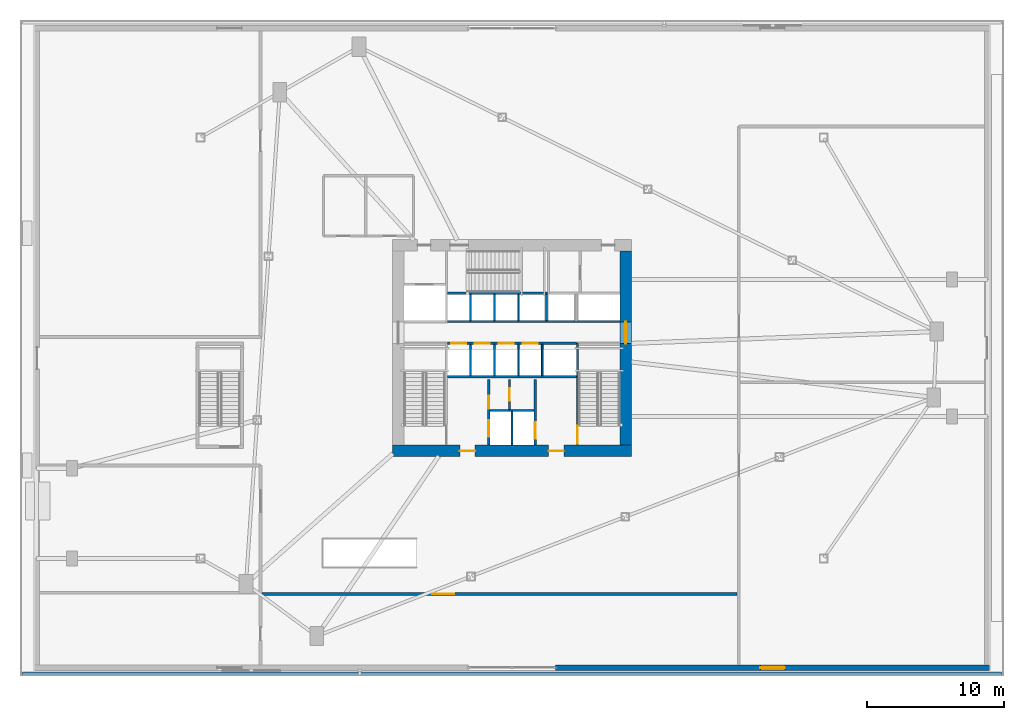
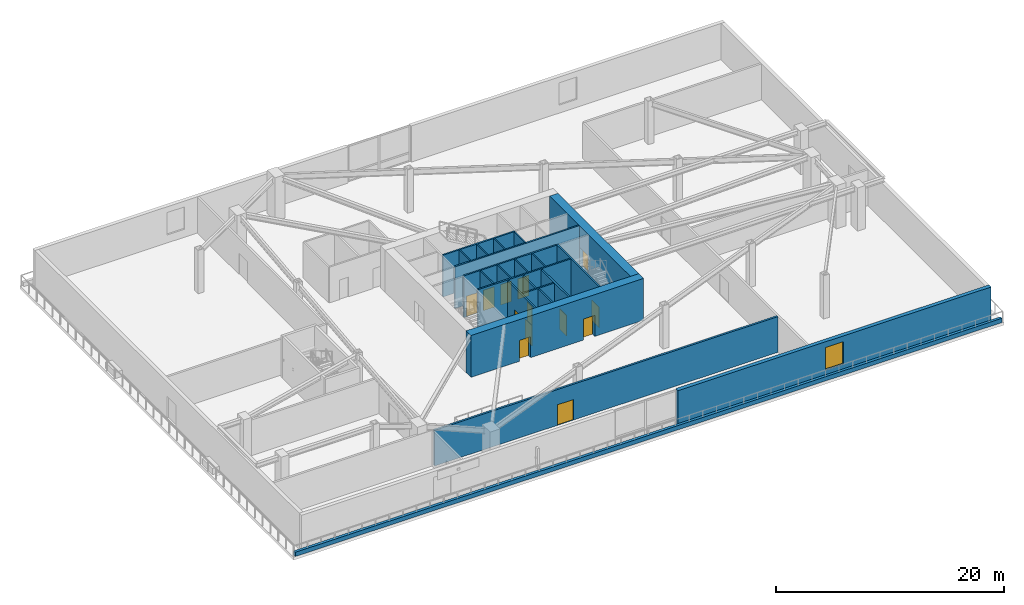
# One storey, part 7 of 14: 23 walls, 13 doors, 1 window, 14 openings.
"""IFC4 building model written with IfcOpenShell, lengths in metres."""

from ifc_helpers import new_model, si_unit, direction, frame, frame_2d, origin, place, context, subcontext, project, spatial, rectangle, extrude, source, transform, mapped, material, layer, layer_set, type_object, type_shapes, element, fill, save


model = new_model("IFC4")

# Units and contexts
model_context = context("Model", 3, precision=1e-05, world=origin(), true_north=direction((0.0, 1.0)))
body_context = subcontext(model_context, "Body", "Model", "MODEL_VIEW")
ifc_project = project(units=[si_unit("LENGTHUNIT", "METRE"), si_unit("AREAUNIT", "SQUARE_METRE"), si_unit("VOLUMEUNIT", "CUBIC_METRE"), si_unit("PLANEANGLEUNIT", "RADIAN"), si_unit("MASSUNIT", "GRAM", prefix="KILO")], contexts=[model_context])

# Site, building, storey
site_placement = place(None, origin())
site = spatial("IfcSite", under=ifc_project, at=site_placement, CompositionType="ELEMENT")
building_placement = place(site_placement, origin())
building = spatial("IfcBuilding", under=site, at=building_placement, Name="Olszyna Solenne Hotel", CompositionType="ELEMENT")
storey_placement = place(building_placement, frame((0.0, 0.0, 5.39990234375)))
storey = spatial("IfcBuildingStorey", under=building, at=storey_placement, Name="L01", CompositionType="ELEMENT", Elevation=5.39990234375)

# Wall, openings, doors
ifc_material_1 = material(Name="Concrete C60/75", Category="concrete")
ifc_layer_1 = layer(ifc_material_1, 0.85009765625, Name="Concrete C60/75")
ifc_layer_set_1 = layer_set([ifc_layer_1], Name="Concrete C60/75")
wall_type_1 = type_object("IfcWallType", Name="WL-CR850", PredefinedType="SHEAR", material=ifc_layer_set_1)
wall_1_placement = place(storey_placement, frame((46.75, 19.074951171875, 0.0), z_axis=(0.0, 0.0, 1.0), x_axis=(-1.0, 0.0, 0.0)))
wall_1 = element("IfcWall", 1, at=wall_1_placement, inside=storey, type_object=wall_type_1, Name="Core shear wall WL-CR850 CRW-L01-S", PredefinedType="SHEAR", context=body_context, shape_type="SweptSolid", body=[
    extrude(rectangle(XDim=17.5, YDim=0.85009765625, at=frame_2d((8.75, 0.0))), origin(), (0.0, 0.0, 1.0), 4.47998046875),
])
opening_1_placement = place(wall_1_placement, frame((4.949951171875, 0.0, 0.0)))
opening_1 = element("IfcOpeningElement", 2, at=opening_1_placement, cuts=wall_1, Name="Opening FL-L01-1", PredefinedType="OPENING", context=body_context, shape_type="SweptSolid", body=[
    extrude(rectangle(XDim=1.1201171875, YDim=2.25, at=frame_2d((0.56005859375, 1.125))), frame((0.0, 0.43505859375, 0.0), z_axis=(0.0, -1.0, 0.0), x_axis=(1.0, 0.0, 0.0)), (0.0, 0.0, 1.0), 0.8701171875),
])
opening_2_placement = place(wall_1_placement, frame((11.449951171875, 0.0, 0.0)))
opening_2 = element("IfcOpeningElement", 3, at=opening_2_placement, cuts=wall_1, Name="Opening FL-L01-2", PredefinedType="OPENING", context=body_context, shape_type="SweptSolid", body=[
    extrude(rectangle(XDim=1.1201171875, YDim=2.25, at=frame_2d((0.56005859375, 1.125))), frame((0.0, 0.43505859375, 0.0), z_axis=(0.0, -1.0, 0.0), x_axis=(1.0, 0.0, 0.0)), (0.0, 0.0, 1.0), 0.8701171875),
])
ifc_material_2 = material(Name="Steel S355J2", Category="steel")
door_type_1 = type_object("IfcDoorType", Name="DR-FL1", OperationType="NOTDEFINED", PredefinedType="DOOR", material=ifc_material_2)
shared_shape_1 = source(origin(), body_context, "Body", "SweptSolid", [
    extrude(rectangle(XDim=1.1201171875, YDim=2.25, at=frame_2d((0.56005859375, 1.125))), frame((0.0, 0.02490234375, 0.0), z_axis=(0.0, -1.0, 0.0), x_axis=(1.0, 0.0, 0.0)), (0.0, 0.0, 1.0), 0.050048828125),
])
type_shapes(door_type_1, [shared_shape_1])
door_1_placement = place(opening_1_placement, origin())
door_1 = element("IfcDoor", 4, at=door_1_placement, inside=storey, type_object=door_type_1, Name="Firefighting lift lobby smoke door FL-L01-1", OperationType="SINGLE_SWING_LEFT", OverallHeight=2.25, OverallWidth=1.1201171875, PredefinedType="DOOR", context=body_context, shape_type="MappedRepresentation", body=[
    mapped(shared_shape_1, transform((0.0, 0.0, 0.0), x_axis=(1.0, 0.0, 0.0), y_axis=(0.0, 1.0, 0.0), z_axis=(0.0, 0.0, 1.0), scale=1.0)),
])
fill(opening_1, door_1)
door_2_placement = place(opening_2_placement, origin())
door_2 = element("IfcDoor", 5, at=door_2_placement, inside=storey, type_object=door_type_1, Name="Firefighting lift lobby smoke door FL-L01-2", OperationType="SINGLE_SWING_RIGHT", OverallHeight=2.25, OverallWidth=1.1201171875, PredefinedType="DOOR", context=body_context, shape_type="MappedRepresentation", body=[
    mapped(shared_shape_1, transform((0.0, 0.0, 0.0), x_axis=(1.0, 0.0, 0.0), y_axis=(0.0, 1.0, 0.0), z_axis=(0.0, 0.0, 1.0), scale=1.0)),
])
fill(opening_2, door_2)

# Wall, opening, door
wall_2_placement = place(storey_placement, frame((46.324951171875, 33.699951171875, 0.0), z_axis=(0.0, 0.0, 1.0), x_axis=(0.0, -1.0, 0.0)))
wall_2 = element("IfcWall", 6, at=wall_2_placement, inside=storey, type_object=wall_type_1, Name="Core shear wall WL-CR850 CRW-L01-E", PredefinedType="SHEAR", context=body_context, shape_type="SweptSolid", body=[
    extrude(rectangle(XDim=14.199951171875, YDim=0.85009765625, at=frame_2d((7.10009765625, 0.0))), origin(), (0.0, 0.0, 1.0), 4.47998046875),
])
opening_3_placement = place(wall_2_placement, frame((5.179931640625, 0.0, 0.0)))
opening_3 = element("IfcOpeningElement", 7, at=opening_3_placement, cuts=wall_2, Name="Opening LHD-L01-E", PredefinedType="OPENING", context=body_context, shape_type="SweptSolid", body=[
    extrude(rectangle(XDim=1.60009765625, YDim=2.199951171875, at=frame_2d((0.800048828125, 1.10009765625))), frame((0.0, 0.43505859375, 0.0), z_axis=(0.0, -1.0, 0.0), x_axis=(1.0, 0.0, 0.0)), (0.0, 0.0, 1.0), 0.8701171875),
])
ifc_material_3 = material(Name="Timber hardwood", Category="wood")
door_type_2 = type_object("IfcDoorType", Name="DR-CR1", OperationType="DOUBLE_DOOR_SINGLE_SWING", PredefinedType="DOOR", material=ifc_material_3)
shared_shape_2 = source(origin(), body_context, "Body", "SweptSolid", [
    extrude(rectangle(XDim=1.60009765625, YDim=2.199951171875, at=frame_2d((0.800048828125, 1.10009765625))), frame((0.0, 0.02490234375, 0.0), z_axis=(0.0, -1.0, 0.0), x_axis=(1.0, 0.0, 0.0)), (0.0, 0.0, 1.0), 0.050048828125),
])
type_shapes(door_type_2, [shared_shape_2])
door_3_placement = place(opening_3_placement, origin())
door_3 = element("IfcDoor", 8, at=door_3_placement, inside=storey, type_object=door_type_2, Name="Passenger lift lobby East fire door LHD-L01-E", OperationType="DOUBLE_DOOR_SINGLE_SWING", OverallHeight=2.199951171875, OverallWidth=1.60009765625, PredefinedType="DOOR", context=body_context, shape_type="MappedRepresentation", body=[
    mapped(shared_shape_2, transform((0.0, 0.0, 0.0), x_axis=(1.0, 0.0, 0.0), y_axis=(0.0, 1.0, 0.0), z_axis=(0.0, 0.0, 1.0), scale=1.0)),
])
fill(opening_3, door_3)

# Wall, opening, window
ifc_material_4 = material(Name="Terracotta cladding on precast concrete C45/55", Category="masonry")
ifc_layer_2 = layer(ifc_material_4, 0.3798828125, Name="Terracotta cladding on precast concrete C45/55")
ifc_layer_set_2 = layer_set([ifc_layer_2], Name="Terracotta cladding on precast concrete C45/55")
wall_type_2 = type_object("IfcWallType", Name="WL-EX380", PredefinedType="SOLIDWALL", material=ifc_layer_set_2)
wall_3_placement = place(storey_placement, frame((72.949951171875, 3.2099609375, 0.0), z_axis=(0.0, 0.0, 1.0), x_axis=(-1.0, 0.0, 0.0)))
wall_3 = element("IfcWall", 9, at=wall_3_placement, inside=storey, type_object=wall_type_2, Name="Podium terracotta-precast exterior wall EW-L01-SE", PredefinedType="SOLIDWALL", context=body_context, shape_type="SweptSolid", body=[
    extrude(rectangle(XDim=31.75, YDim=0.3798828125, at=frame_2d((15.875, 0.0))), origin(), (0.0, 0.0, 1.0), 3.8720703125),
])
opening_4_placement = place(wall_3_placement, frame((14.97509765625, 0.0, 0.85009765625)))
opening_4 = element("IfcOpeningElement", 10, at=opening_4_placement, cuts=wall_3, Name="Opening WN-L01-005", PredefinedType="OPENING", context=body_context, shape_type="SweptSolid", body=[
    extrude(rectangle(XDim=1.800048828125, YDim=2.39990234375, at=frame_2d((0.89990234375, 1.199951171875))), frame((0.0, 0.199951171875, 0.0), z_axis=(0.0, -1.0, 0.0), x_axis=(1.0, 0.0, 0.0)), (0.0, 0.0, 1.0), 0.39990234375),
])
ifc_material_5 = material(Name="Low-E triple glazing", Category="glass")
window_type = type_object("IfcWindowType", Name="WN-PD2", PartitioningType="SINGLE_PANEL", PredefinedType="WINDOW", material=ifc_material_5)
shared_shape_3 = source(origin(), body_context, "Body", "SweptSolid", [
    extrude(rectangle(XDim=1.800048828125, YDim=2.39990234375, at=frame_2d((0.89990234375, 1.199951171875))), frame((0.0, 0.030029296875, 0.0), z_axis=(0.0, -1.0, 0.0), x_axis=(1.0, 0.0, 0.0)), (0.0, 0.0, 1.0), 0.06005859375),
])
type_shapes(window_type, [shared_shape_3])
window_placement = place(opening_4_placement, origin())
window = element("IfcWindow", 11, at=window_placement, inside=storey, type_object=window_type, Name="Podium triple-glazed window WN-PD2 WN-L01-005", OverallHeight=2.39990234375, OverallWidth=1.800048828125, PartitioningType="SINGLE_PANEL", PredefinedType="WINDOW", context=body_context, shape_type="MappedRepresentation", body=[
    mapped(shared_shape_3, transform((0.0, 0.0, 0.0), x_axis=(1.0, 0.0, 0.0), y_axis=(0.0, 1.0, 0.0), z_axis=(0.0, 0.0, 1.0), scale=1.0)),
])
fill(opening_4, window)

# Walls
ifc_layer_3 = layer(ifc_material_4, 0.280029296875, Name="Terracotta cladding on precast concrete C45/55")
ifc_layer_set_3 = layer_set([ifc_layer_3], Name="Terracotta cladding on precast concrete C45/55")
wall_type_3 = type_object("IfcWallType", Name="WL-PR280", PredefinedType="PARAPET", material=ifc_layer_set_3)
wall_4_placement = place(storey_placement, frame((2.199951171875, 2.760009765625, 0.0), z_axis=(0.0, 0.0, 1.0), x_axis=(1.0, 0.0, 0.0)))
element("IfcWall", 12, at=wall_4_placement, inside=storey, type_object=wall_type_3, Name="Garden terrace parapet upstand PR-L01-S", PredefinedType="PARAPET", context=body_context, shape_type="SweptSolid", body=[
    extrude(rectangle(XDim=71.60009765625, YDim=0.280029296875, at=frame_2d((35.800048828125, 0.0))), origin(), (0.0, 0.0, 1.0), 0.4501953125),
])
ifc_material_6 = material(Name="Acoustic gypsum partition", Category="gypsum")
ifc_layer_4 = layer(ifc_material_6, 0.125, Name="Acoustic gypsum partition")
ifc_layer_set_4 = layer_set([ifc_layer_4], Name="Acoustic gypsum partition")
wall_type_4 = type_object("IfcWallType", Name="WL-PT125", PredefinedType="PARTITIONING", material=ifc_layer_set_4)
wall_5_placement = place(storey_placement, frame((38.0, 19.5, 0.0), z_axis=(0.0, 0.0, 1.0), x_axis=(0.0, 1.0, 0.0)))
element("IfcWall", 13, at=wall_5_placement, inside=storey, type_object=wall_type_4, Name="Core shaft compartment wall CW-L01-FFM", PredefinedType="PARTITIONING", context=body_context, shape_type="SweptSolid", body=[
    extrude(rectangle(XDim=2.4599609375, YDim=0.125, at=frame_2d((1.22998046875, 0.0))), origin(), (0.0, 0.0, 1.0), 4.47998046875),
])

# Wall, opening, door
wall_6_placement = place(storey_placement, frame((37.820068359375, 22.10009765625, 0.0), z_axis=(0.0, 0.0, 1.0), x_axis=(0.0, 1.0, 0.0)))
wall_6 = element("IfcWall", 14, at=wall_6_placement, inside=storey, type_object=wall_type_4, Name="Core shaft compartment wall CW-L01-SC1", PredefinedType="PARTITIONING", context=body_context, shape_type="SweptSolid", body=[
    extrude(rectangle(XDim=2.179931640625, YDim=0.125, at=frame_2d((1.08984375, 0.0))), origin(), (0.0, 0.0, 1.0), 4.47998046875),
])
opening_5_placement = place(wall_6_placement, frame((0.64990234375, 0.0, 0.0)))
opening_5 = element("IfcOpeningElement", 15, at=opening_5_placement, cuts=wall_6, Name="Opening SVD-L01-SC1", PredefinedType="OPENING", context=body_context, shape_type="SweptSolid", body=[
    extrude(rectangle(XDim=0.89990234375, YDim=2.10009765625, at=frame_2d((0.449951171875, 1.050048828125))), frame((0.0, 0.072509765625, 0.0), z_axis=(0.0, -1.0, 0.0), x_axis=(1.0, 0.0, 0.0)), (0.0, 0.0, 1.0), 0.14501953125),
])
door_type_3 = type_object("IfcDoorType", Name="DR-WC1", OperationType="NOTDEFINED", PredefinedType="DOOR", material=ifc_material_3)
shared_shape_4 = source(origin(), body_context, "Body", "SweptSolid", [
    extrude(rectangle(XDim=0.89990234375, YDim=2.10009765625, at=frame_2d((0.449951171875, 1.050048828125))), frame((0.0, 0.02490234375, 0.0), z_axis=(0.0, -1.0, 0.0), x_axis=(1.0, 0.0, 0.0)), (0.0, 0.0, 1.0), 0.050048828125),
])
type_shapes(door_type_3, [shared_shape_4])
door_4_placement = place(opening_5_placement, origin())
door_4 = element("IfcDoor", 16, at=door_4_placement, inside=storey, type_object=door_type_3, Name="Pantry locker door SVD-L01-SC1", OperationType="SINGLE_SWING_LEFT", OverallHeight=2.10009765625, OverallWidth=0.89990234375, PredefinedType="DOOR", context=body_context, shape_type="MappedRepresentation", body=[
    mapped(shared_shape_4, transform((0.0, 0.0, 0.0), x_axis=(1.0, 0.0, 0.0), y_axis=(0.0, 1.0, 0.0), z_axis=(0.0, 0.0, 1.0), scale=1.0)),
])
fill(opening_5, door_4)

# Walls
for number, where, z_axis, x_axis, name in (
    (17, (34.965087890625, 24.56005859375, 0.0), (0.0, 0.0, 1.0), (0.0, 1.0, 0.0), "Core shaft compartment wall CW-L01-DIVS349"),
    (18, (36.715087890625, 24.56005859375, 0.0), (0.0, 0.0, 1.0), (0.0, 1.0, 0.0), "Core shaft compartment wall CW-L01-DIVS367"),
    (19, (38.465087890625, 24.56005859375, 0.0), (0.0, 0.0, 1.0), (0.0, 1.0, 0.0), "Core shaft compartment wall CW-L01-DIVS384"),
    (20, (40.215087890625, 24.56005859375, 0.0), (0.0, 0.0, 1.0), (0.0, 1.0, 0.0), "Core shaft compartment wall CW-L01-DIVS402"),
):
    element("IfcWall", number, at=place(storey_placement, frame(where, z_axis=z_axis, x_axis=x_axis)), inside=storey, type_object=wall_type_4, Name=name, PredefinedType="PARTITIONING", context=body_context, shape_type="SweptSolid", body=[
        extrude(rectangle(XDim=2.31005859375, YDim=0.125, at=frame_2d((1.155029296875, 0.0))), origin(), (0.0, 0.0, 1.0), 4.47998046875),
    ])
for number, where, z_axis, x_axis, name in (
    (21, (34.965087890625, 28.60009765625, 0.0), (0.0, 0.0, 1.0), (0.0, 1.0, 0.0), "Core shaft compartment wall CW-L01-DIVN349"),
    (22, (36.715087890625, 28.60009765625, 0.0), (0.0, 0.0, 1.0), (0.0, 1.0, 0.0), "Core shaft compartment wall CW-L01-DIVN367"),
    (23, (38.465087890625, 28.60009765625, 0.0), (0.0, 0.0, 1.0), (0.0, 1.0, 0.0), "Core shaft compartment wall CW-L01-DIVN384"),
    (24, (40.52490234375, 28.60009765625, 0.0), (0.0, 0.0, 1.0), (0.0, 1.0, 0.0), "Core shaft compartment wall CW-L01-DIVEX405"),
):
    element("IfcWall", number, at=place(storey_placement, frame(where, z_axis=z_axis, x_axis=x_axis)), inside=storey, type_object=wall_type_4, Name=name, PredefinedType="PARTITIONING", context=body_context, shape_type="SweptSolid", body=[
        extrude(rectangle(XDim=1.919921875, YDim=0.125, at=frame_2d((0.9599609375, 0.0))), origin(), (0.0, 0.0, 1.0), 4.47998046875),
    ])

# Wall, opening, door
ifc_layer_5 = layer(ifc_material_6, 0.159912109375, Name="Acoustic gypsum partition")
ifc_layer_set_5 = layer_set([ifc_layer_5], Name="Acoustic gypsum partition")
wall_type_5 = type_object("IfcWallType", Name="WL-PT160", PredefinedType="PARTITIONING", material=ifc_layer_set_5)
wall_7_placement = place(storey_placement, frame((42.800048828125, 26.9599609375, 0.0), z_axis=(0.0, 0.0, 1.0), x_axis=(0.0, -1.0, 0.0)))
wall_7 = element("IfcWall", 25, at=wall_7_placement, inside=storey, type_object=wall_type_5, Name="Core shaft compartment wall CW-L01-ST2W", PredefinedType="PARTITIONING", context=body_context, shape_type="SweptSolid", body=[
    extrude(rectangle(XDim=7.4599609375, YDim=0.159912109375, at=frame_2d((3.72998046875, 0.0))), origin(), (0.0, 0.0, 1.0), 4.47998046875),
])
opening_6_placement = place(wall_7_placement, frame((6.06005859375, 0.0, 0.0)))
opening_6 = element("IfcOpeningElement", 26, at=opening_6_placement, cuts=wall_7, Name="Opening STD-L01-02", PredefinedType="OPENING", context=body_context, shape_type="SweptSolid", body=[
    extrude(rectangle(XDim=1.320068359375, YDim=2.199951171875, at=frame_2d((0.66015625, 1.10009765625))), frame((0.0, 0.08984375, 0.0), z_axis=(0.0, -1.0, 0.0), x_axis=(1.0, 0.0, 0.0)), (0.0, 0.0, 1.0), 0.179931640625),
])
door_type_4 = type_object("IfcDoorType", Name="DR-ST1", OperationType="NOTDEFINED", PredefinedType="DOOR", material=ifc_material_2)
shared_shape_5 = source(origin(), body_context, "Body", "SweptSolid", [
    extrude(rectangle(XDim=1.320068359375, YDim=2.199951171875, at=frame_2d((0.66015625, 1.10009765625))), frame((0.0, 0.02490234375, 0.0), z_axis=(0.0, -1.0, 0.0), x_axis=(1.0, 0.0, 0.0)), (0.0, 0.0, 1.0), 0.050048828125),
])
type_shapes(door_type_4, [shared_shape_5])
door_5_placement = place(opening_6_placement, origin())
door_5 = element("IfcDoor", 27, at=door_5_placement, inside=storey, type_object=door_type_4, Name="Pressurised exit stair ST2 fire door STD-L01-02", OperationType="SINGLE_SWING_RIGHT", OverallHeight=2.199951171875, OverallWidth=1.320068359375, PredefinedType="DOOR", context=body_context, shape_type="MappedRepresentation", body=[
    mapped(shared_shape_5, transform((0.0, 0.0, 0.0), x_axis=(1.0, 0.0, 0.0), y_axis=(0.0, 1.0, 0.0), z_axis=(0.0, 0.0, 1.0), scale=1.0)),
])
fill(opening_6, door_5)

# Wall
wall_8_placement = place(storey_placement, frame((33.280029296875, 30.60009765625, 0.0), z_axis=(0.0, 0.0, 1.0), x_axis=(1.0, 0.0, 0.0)))
element("IfcWall", 28, at=wall_8_placement, inside=storey, type_object=wall_type_5, Name="Core shaft compartment wall CW-L01-ST3S", PredefinedType="PARTITIONING", context=body_context, shape_type="SweptSolid", body=[
    extrude(rectangle(XDim=7.300048828125, YDim=0.159912109375, at=frame_2d((3.64990234375, 0.0))), origin(), (0.0, 0.0, 1.0), 4.47998046875),
])

# Wall, openings, doors
wall_9_placement = place(storey_placement, frame((36.300048828125, 19.5, 0.0), z_axis=(0.0, 0.0, 1.0), x_axis=(0.0, 1.0, 0.0)))
wall_9 = element("IfcWall", 29, at=wall_9_placement, inside=storey, type_object=wall_type_5, Name="Core shaft compartment wall CW-L01-FF1W", PredefinedType="PARTITIONING", context=body_context, shape_type="SweptSolid", body=[
    extrude(rectangle(XDim=4.780029296875, YDim=0.159912109375, at=frame_2d((2.39013671875, 0.0))), origin(), (0.0, 0.0, 1.0), 4.47998046875),
])
opening_7_placement = place(wall_9_placement, frame((0.60009765625, 0.0, 0.0)))
opening_7 = element("IfcOpeningElement", 30, at=opening_7_placement, cuts=wall_9, Name="Opening LD-L01-FF1", PredefinedType="OPENING", context=body_context, shape_type="SweptSolid", body=[
    extrude(rectangle(XDim=1.199951171875, YDim=2.199951171875, at=frame_2d((0.60009765625, 1.10009765625))), frame((0.0, 0.08984375, 0.0), z_axis=(0.0, -1.0, 0.0), x_axis=(1.0, 0.0, 0.0)), (0.0, 0.0, 1.0), 0.179931640625),
])
opening_8_placement = place(wall_9_placement, frame((2.64990234375, 0.0, 0.0)))
opening_8 = element("IfcOpeningElement", 31, at=opening_8_placement, cuts=wall_9, Name="Opening SVD-L01-SMK", PredefinedType="OPENING", context=body_context, shape_type="SweptSolid", body=[
    extrude(rectangle(XDim=0.949951171875, YDim=2.10009765625, at=frame_2d((0.47509765625, 1.050048828125))), frame((0.0, 0.08984375, 0.0), z_axis=(0.0, -1.0, 0.0), x_axis=(1.0, 0.0, 0.0)), (0.0, 0.0, 1.0), 0.179931640625),
])
door_type_5 = type_object("IfcDoorType", Name="DR-SV1", OperationType="NOTDEFINED", PredefinedType="DOOR", material=ifc_material_2)
shared_shape_6 = source(origin(), body_context, "Body", "SweptSolid", [
    extrude(rectangle(XDim=0.949951171875, YDim=2.10009765625, at=frame_2d((0.47509765625, 1.050048828125))), frame((0.0, 0.02490234375, 0.0), z_axis=(0.0, -1.0, 0.0), x_axis=(1.0, 0.0, 0.0)), (0.0, 0.0, 1.0), 0.050048828125),
])
type_shapes(door_type_5, [shared_shape_6])
door_6_placement = place(opening_8_placement, origin())
door_6 = element("IfcDoor", 32, at=door_6_placement, inside=storey, type_object=door_type_5, Name="Valet and core service room door SVD-L01-SMK", OperationType="SINGLE_SWING_LEFT", OverallHeight=2.10009765625, OverallWidth=0.949951171875, PredefinedType="DOOR", context=body_context, shape_type="MappedRepresentation", body=[
    mapped(shared_shape_6, transform((0.0, 0.0, 0.0), x_axis=(1.0, 0.0, 0.0), y_axis=(0.0, 1.0, 0.0), z_axis=(0.0, 0.0, 1.0), scale=1.0)),
])
fill(opening_8, door_6)
door_type_6 = type_object("IfcDoorType", Name="LD-FF1", OperationType="DOUBLE_DOOR_SLIDING", PredefinedType="DOOR", material=ifc_material_2)
shared_shape_7 = source(origin(), body_context, "Body", "SweptSolid", [
    extrude(rectangle(XDim=1.199951171875, YDim=2.199951171875, at=frame_2d((0.60009765625, 1.10009765625))), frame((0.0, 0.02490234375, 0.0), z_axis=(0.0, -1.0, 0.0), x_axis=(1.0, 0.0, 0.0)), (0.0, 0.0, 1.0), 0.050048828125),
])
type_shapes(door_type_6, [shared_shape_7])
door_7_placement = place(opening_7_placement, origin())
door_7 = element("IfcDoor", 33, at=door_7_placement, inside=storey, type_object=door_type_6, Name="Firefighters lift FF1 sliding landing door LD-L01-FF1", OperationType="DOUBLE_DOOR_SLIDING", OverallHeight=2.199951171875, OverallWidth=1.199951171875, PredefinedType="DOOR", context=body_context, shape_type="MappedRepresentation", body=[
    mapped(shared_shape_7, transform((0.0, 0.0, 0.0), x_axis=(1.0, 0.0, 0.0), y_axis=(0.0, 1.0, 0.0), z_axis=(0.0, 0.0, 1.0), scale=1.0)),
])
fill(opening_7, door_7)

# Wall, opening, door
wall_10_placement = place(storey_placement, frame((39.699951171875, 24.280029296875, 0.0), z_axis=(0.0, 0.0, 1.0), x_axis=(0.0, -1.0, 0.0)))
wall_10 = element("IfcWall", 34, at=wall_10_placement, inside=storey, type_object=wall_type_5, Name="Core shaft compartment wall CW-L01-FF2E", PredefinedType="PARTITIONING", context=body_context, shape_type="SweptSolid", body=[
    extrude(rectangle(XDim=4.780029296875, YDim=0.159912109375, at=frame_2d((2.39013671875, 0.0))), origin(), (0.0, 0.0, 1.0), 4.47998046875),
])
opening_9_placement = place(wall_10_placement, frame((3.1201171875, 0.0, 0.0)))
opening_9 = element("IfcOpeningElement", 35, at=opening_9_placement, cuts=wall_10, Name="Opening LD-L01-FF2", PredefinedType="OPENING", context=body_context, shape_type="SweptSolid", body=[
    extrude(rectangle(XDim=1.199951171875, YDim=2.199951171875, at=frame_2d((0.60009765625, 1.10009765625))), frame((0.0, 0.08984375, 0.0), z_axis=(0.0, -1.0, 0.0), x_axis=(1.0, 0.0, 0.0)), (0.0, 0.0, 1.0), 0.179931640625),
])
door_8_placement = place(opening_9_placement, origin())
door_8 = element("IfcDoor", 36, at=door_8_placement, inside=storey, type_object=door_type_6, Name="Firefighters lift FF2 sliding landing door LD-L01-FF2", OperationType="DOUBLE_DOOR_SLIDING", OverallHeight=2.199951171875, OverallWidth=1.199951171875, PredefinedType="DOOR", context=body_context, shape_type="MappedRepresentation", body=[
    mapped(shared_shape_7, transform((0.0, 0.0, 0.0), x_axis=(1.0, 0.0, 0.0), y_axis=(0.0, 1.0, 0.0), z_axis=(0.0, 0.0, 1.0), scale=1.0)),
])
fill(opening_9, door_8)

# Walls
wall_11_placement = place(storey_placement, frame((36.3798828125, 22.02001953125, 0.0), z_axis=(0.0, 0.0, 1.0), x_axis=(1.0, 0.0, 0.0)))
element("IfcWall", 37, at=wall_11_placement, inside=storey, type_object=wall_type_5, Name="Core shaft compartment wall CW-L01-FFN", PredefinedType="PARTITIONING", context=body_context, shape_type="SweptSolid", body=[
    extrude(rectangle(XDim=3.240234375, YDim=0.159912109375, at=frame_2d((1.6201171875, 0.0))), origin(), (0.0, 0.0, 1.0), 4.47998046875),
])
wall_12_placement = place(storey_placement, frame((33.280029296875, 24.489990234375, 0.0), z_axis=(0.0, 0.0, 1.0), x_axis=(1.0, 0.0, 0.0)))
element("IfcWall", 38, at=wall_12_placement, inside=storey, type_object=wall_type_5, Name="Core shaft compartment wall CW-L01-FFBN", PredefinedType="PARTITIONING", context=body_context, shape_type="SweptSolid", body=[
    extrude(rectangle(XDim=9.43994140625, YDim=0.159912109375, at=frame_2d((4.719970703125, 0.0))), origin(), (0.0, 0.0, 1.0), 4.47998046875),
])

# Wall, openings, doors
wall_13_placement = place(storey_placement, frame((33.280029296875, 26.949951171875, 0.0), z_axis=(0.0, 0.0, 1.0), x_axis=(1.0, 0.0, 0.0)))
wall_13 = element("IfcWall", 39, at=wall_13_placement, inside=storey, type_object=wall_type_5, Name="Core shaft compartment wall CW-L01-LRS", PredefinedType="PARTITIONING", context=body_context, shape_type="SweptSolid", body=[
    extrude(rectangle(XDim=9.43994140625, YDim=0.159912109375, at=frame_2d((4.719970703125, 0.0))), origin(), (0.0, 0.0, 1.0), 4.47998046875),
])
opening_10_placement = place(wall_13_placement, frame((0.260009765625, 0.0, 0.0)))
opening_10 = element("IfcOpeningElement", 40, at=opening_10_placement, cuts=wall_13, Name="Opening LD-L01-PL1", PredefinedType="OPENING", context=body_context, shape_type="SweptSolid", body=[
    extrude(rectangle(XDim=1.10009765625, YDim=2.199951171875, at=frame_2d((0.550048828125, 1.10009765625))), frame((0.0, 0.08984375, 0.0), z_axis=(0.0, -1.0, 0.0), x_axis=(1.0, 0.0, 0.0)), (0.0, 0.0, 1.0), 0.179931640625),
])
opening_11_placement = place(wall_13_placement, frame((2.010009765625, 0.0, 0.0)))
opening_11 = element("IfcOpeningElement", 41, at=opening_11_placement, cuts=wall_13, Name="Opening LD-L01-PL2", PredefinedType="OPENING", context=body_context, shape_type="SweptSolid", body=[
    extrude(rectangle(XDim=1.10009765625, YDim=2.199951171875, at=frame_2d((0.550048828125, 1.10009765625))), frame((0.0, 0.08984375, 0.0), z_axis=(0.0, -1.0, 0.0), x_axis=(1.0, 0.0, 0.0)), (0.0, 0.0, 1.0), 0.179931640625),
])
opening_12_placement = place(wall_13_placement, frame((3.760009765625, 0.0, 0.0)))
opening_12 = element("IfcOpeningElement", 42, at=opening_12_placement, cuts=wall_13, Name="Opening LD-L01-PL3", PredefinedType="OPENING", context=body_context, shape_type="SweptSolid", body=[
    extrude(rectangle(XDim=1.10009765625, YDim=2.199951171875, at=frame_2d((0.550048828125, 1.10009765625))), frame((0.0, 0.08984375, 0.0), z_axis=(0.0, -1.0, 0.0), x_axis=(1.0, 0.0, 0.0)), (0.0, 0.0, 1.0), 0.179931640625),
])
opening_13_placement = place(wall_13_placement, frame((5.510009765625, 0.0, 0.0)))
opening_13 = element("IfcOpeningElement", 43, at=opening_13_placement, cuts=wall_13, Name="Opening LD-L01-PL4", PredefinedType="OPENING", context=body_context, shape_type="SweptSolid", body=[
    extrude(rectangle(XDim=1.10009765625, YDim=2.199951171875, at=frame_2d((0.550048828125, 1.10009765625))), frame((0.0, 0.08984375, 0.0), z_axis=(0.0, -1.0, 0.0), x_axis=(1.0, 0.0, 0.0)), (0.0, 0.0, 1.0), 0.179931640625),
])
door_type_7 = type_object("IfcDoorType", Name="LD-P1", OperationType="DOUBLE_DOOR_SLIDING", PredefinedType="DOOR", material=ifc_material_2)
shared_shape_8 = source(origin(), body_context, "Body", "SweptSolid", [
    extrude(rectangle(XDim=1.10009765625, YDim=2.199951171875, at=frame_2d((0.550048828125, 1.10009765625))), frame((0.0, 0.02490234375, 0.0), z_axis=(0.0, -1.0, 0.0), x_axis=(1.0, 0.0, 0.0)), (0.0, 0.0, 1.0), 0.050048828125),
])
type_shapes(door_type_7, [shared_shape_8])
door_9_placement = place(opening_10_placement, origin())
door_9 = element("IfcDoor", 44, at=door_9_placement, inside=storey, type_object=door_type_7, Name="Passenger lift PL1 sliding landing door LD-L01-PL1", OperationType="DOUBLE_DOOR_SLIDING", OverallHeight=2.199951171875, OverallWidth=1.10009765625, PredefinedType="DOOR", context=body_context, shape_type="MappedRepresentation", body=[
    mapped(shared_shape_8, transform((0.0, 0.0, 0.0), x_axis=(1.0, 0.0, 0.0), y_axis=(0.0, 1.0, 0.0), z_axis=(0.0, 0.0, 1.0), scale=1.0)),
])
fill(opening_10, door_9)
door_10_placement = place(opening_11_placement, origin())
door_10 = element("IfcDoor", 45, at=door_10_placement, inside=storey, type_object=door_type_7, Name="Passenger lift PL2 sliding landing door LD-L01-PL2", OperationType="DOUBLE_DOOR_SLIDING", OverallHeight=2.199951171875, OverallWidth=1.10009765625, PredefinedType="DOOR", context=body_context, shape_type="MappedRepresentation", body=[
    mapped(shared_shape_8, transform((0.0, 0.0, 0.0), x_axis=(1.0, 0.0, 0.0), y_axis=(0.0, 1.0, 0.0), z_axis=(0.0, 0.0, 1.0), scale=1.0)),
])
fill(opening_11, door_10)
door_11_placement = place(opening_12_placement, origin())
door_11 = element("IfcDoor", 46, at=door_11_placement, inside=storey, type_object=door_type_7, Name="Passenger lift PL3 sliding landing door LD-L01-PL3", OperationType="DOUBLE_DOOR_SLIDING", OverallHeight=2.199951171875, OverallWidth=1.10009765625, PredefinedType="DOOR", context=body_context, shape_type="MappedRepresentation", body=[
    mapped(shared_shape_8, transform((0.0, 0.0, 0.0), x_axis=(1.0, 0.0, 0.0), y_axis=(0.0, 1.0, 0.0), z_axis=(0.0, 0.0, 1.0), scale=1.0)),
])
fill(opening_12, door_11)
door_12_placement = place(opening_13_placement, origin())
door_12 = element("IfcDoor", 47, at=door_12_placement, inside=storey, type_object=door_type_7, Name="Passenger lift PL4 sliding landing door LD-L01-PL4", OperationType="DOUBLE_DOOR_SLIDING", OverallHeight=2.199951171875, OverallWidth=1.10009765625, PredefinedType="DOOR", context=body_context, shape_type="MappedRepresentation", body=[
    mapped(shared_shape_8, transform((0.0, 0.0, 0.0), x_axis=(1.0, 0.0, 0.0), y_axis=(0.0, 1.0, 0.0), z_axis=(0.0, 0.0, 1.0), scale=1.0)),
])
fill(opening_13, door_12)

# Wall
wall_14_placement = place(storey_placement, frame((33.280029296875, 28.5400390625, 0.0), z_axis=(0.0, 0.0, 1.0), x_axis=(1.0, 0.0, 0.0)))
element("IfcWall", 48, at=wall_14_placement, inside=storey, type_object=wall_type_5, Name="Core shaft compartment wall CW-L01-LRN", PredefinedType="PARTITIONING", context=body_context, shape_type="SweptSolid", body=[
    extrude(rectangle(XDim=12.619873046875, YDim=0.159912109375, at=frame_2d((6.31005859375, 0.0))), origin(), (0.0, 0.0, 1.0), 4.47998046875),
])

# Wall, opening, door
ifc_layer_6 = layer(ifc_material_6, 0.199951171875, Name="Acoustic gypsum partition")
ifc_layer_set_6 = layer_set([ifc_layer_6], Name="Acoustic gypsum partition")
wall_type_6 = type_object("IfcWallType", Name="WL-PT200", PredefinedType="PARTITIONING", material=ifc_layer_set_6)
wall_15_placement = place(storey_placement, frame((19.719970703125, 8.60009765625, 0.0), z_axis=(0.0, 0.0, 1.0), x_axis=(1.0, 0.0, 0.0)))
wall_15 = element("IfcWall", 49, at=wall_15_placement, inside=storey, type_object=wall_type_6, Name="Interior acoustic partition WL-PT200 PW-L01-0140", PredefinedType="PARTITIONING", context=body_context, shape_type="SweptSolid", body=[
    extrude(rectangle(XDim=34.760009765625, YDim=0.199951171875, at=frame_2d((17.3798828125, 0.0))), origin(), (0.0, 0.0, 1.0), 3.830078125),
])
opening_14_placement = place(wall_15_placement, frame((12.449951171875, 0.0, 0.0)))
opening_14 = element("IfcOpeningElement", 50, at=opening_14_placement, cuts=wall_15, Name="Opening DR-L01-0028", PredefinedType="OPENING", context=body_context, shape_type="SweptSolid", body=[
    extrude(rectangle(XDim=1.60009765625, YDim=2.199951171875, at=frame_2d((0.800048828125, 1.10009765625))), frame((0.0, 0.10986328125, 0.0), z_axis=(0.0, -1.0, 0.0), x_axis=(1.0, 0.0, 0.0)), (0.0, 0.0, 1.0), 0.219970703125),
])
door_13_placement = place(opening_14_placement, origin())
door_13 = element("IfcDoor", 51, at=door_13_placement, inside=storey, type_object=door_type_2, Name="Main Hall Entrance DR-L01-0028", OperationType="DOUBLE_DOOR_SINGLE_SWING", OverallHeight=2.199951171875, OverallWidth=1.60009765625, PredefinedType="DOOR", context=body_context, shape_type="MappedRepresentation", body=[
    mapped(shared_shape_2, transform((0.0, 0.0, 0.0), x_axis=(1.0, 0.0, 0.0), y_axis=(0.0, 1.0, 0.0), z_axis=(0.0, 0.0, 1.0), scale=1.0)),
])
fill(opening_14, door_13)

save(model, "model.ifc")
